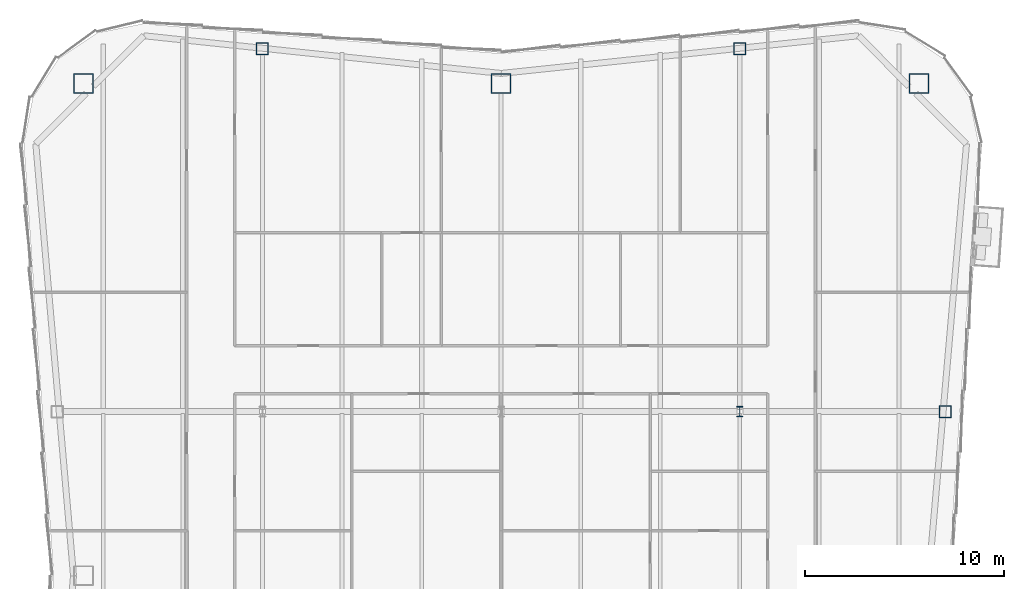
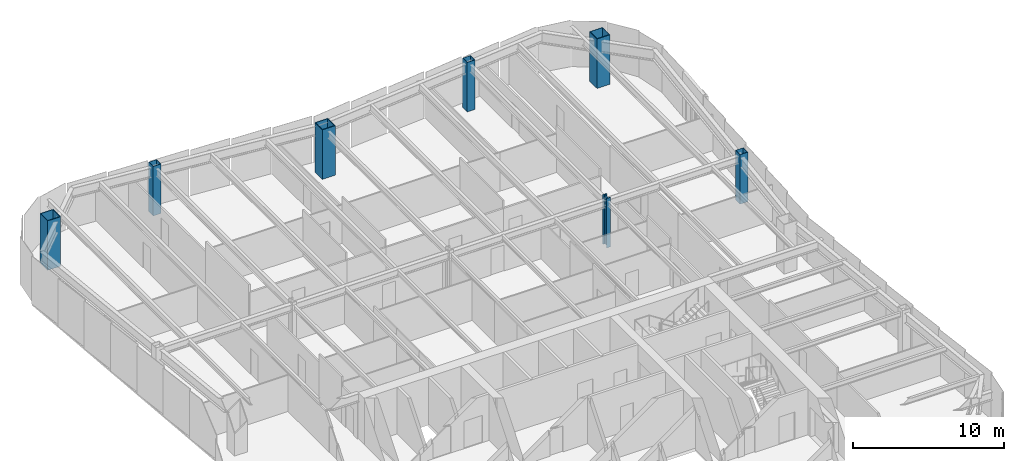
# One storey, part 2 of 12: 7 columns.
"""IFC4 building model written with IfcOpenShell, lengths in metres."""

from ifc_helpers import new_model, si_unit, direction, frame, origin, origin_2d, place, context, subcontext, project, spatial, hollow_rectangle, i_section, extrude, material, material_profile, profile_set, type_object, element, save


model = new_model("IFC4")

# Units and contexts
model_context = context("Model", 3, precision=1e-05, world=origin(), true_north=direction((0.0, 1.0)))
body_context = subcontext(model_context, "Body", "Model", "MODEL_VIEW")
ifc_project = project(units=[si_unit("LENGTHUNIT", "METRE"), si_unit("AREAUNIT", "SQUARE_METRE"), si_unit("VOLUMEUNIT", "CUBIC_METRE"), si_unit("PLANEANGLEUNIT", "RADIAN"), si_unit("MASSUNIT", "GRAM", prefix="KILO")], contexts=[model_context])

# Site, building, storey
site_placement = place(None, origin())
site = spatial("IfcSite", under=ifc_project, at=site_placement, CompositionType="ELEMENT")
building_placement = place(site_placement, origin())
building = spatial("IfcBuilding", under=site, at=building_placement, Name="Verdant Reach Tower", CompositionType="ELEMENT")
storey_placement = place(building_placement, frame((0.0, 0.0, 278.0)))
storey = spatial("IfcBuildingStorey", under=building, at=storey_placement, Name="L64", CompositionType="ELEMENT", Elevation=278.0)

# Columns
ifc_material = material(Name="Steel S460", Category="steel")
ifc_material_profile_1 = material_profile(ifc_material, i_section(OverallWidth=0.305908203125, OverallDepth=0.52392578125, WebThickness=0.012451171875, FlangeThickness=0.0400390625, FilletRadius=0.027099609375, at=origin_2d()), Name="HEM 500")
ifc_profile_set_1 = profile_set([ifc_material_profile_1], Name="Steel S460")
column_type_1 = type_object("IfcColumnType", Name="ST-COL-HEM500", PredefinedType="COLUMN", material=ifc_profile_set_1)
column_placement = place(storey_placement, frame((12.0, 49.5, 0.0), z_axis=(0.0, 0.0, 1.0), x_axis=(1.0, 0.0, 0.0)))
element("IfcColumn", 1, at=column_placement, inside=storey, type_object=column_type_1, Name="Interior column 3, L64", PredefinedType="COLUMN", context=body_context, shape_type="SweptSolid", body=[
    extrude(i_section(OverallWidth=0.305908203125, OverallDepth=0.52392578125, WebThickness=0.012451171875, FlangeThickness=0.0400390625, FilletRadius=0.027099609375, at=origin_2d()), origin(), (0.0, 0.0, 1.0), 4.0),
])
ifc_material_profile_2 = material_profile(ifc_material, hollow_rectangle(XDim=1.0, YDim=1.0, WallThickness=0.044921875, at=origin_2d()), Name="WB 1000x1000x45")
ifc_profile_set_2 = profile_set([ifc_material_profile_2], Name="Steel S460")
column_type_2 = type_object("IfcColumnType", Name="ST-COL-WB1000x1000x45", PredefinedType="COLUMN", material=ifc_profile_set_2)
for number, where, z_axis, x_axis, name in (
    (2, (-21.0, 66.0, 0.0), (0.0, 0.0, 1.0), (1.0, 0.0, 0.0), "Mega column north-west, L64"),
    (3, (0.0, 66.0, 0.0), (0.0, 0.0, 1.0), (1.0, 0.0, 0.0), "Mega column north, L64"),
    (4, (21.0, 66.0, 0.0), (0.0, 0.0, 1.0), (1.0, 0.0, 0.0), "Mega column north-east, L64"),
):
    element("IfcColumn", number, at=place(storey_placement, frame(where, z_axis=z_axis, x_axis=x_axis)), inside=storey, type_object=column_type_2, Name=name, PredefinedType="COLUMN", context=body_context, shape_type="SweptSolid", body=[
        extrude(hollow_rectangle(XDim=1.0, YDim=1.0, WallThickness=0.044921875, at=origin_2d()), origin(), (0.0, 0.0, 1.0), 4.0),
    ])
ifc_material_profile_3 = material_profile(ifc_material, hollow_rectangle(XDim=0.60009765625, YDim=0.60009765625, WallThickness=0.02490234375, at=origin_2d()), Name="WB 600x600x25")
ifc_profile_set_3 = profile_set([ifc_material_profile_3], Name="Steel S460")
column_type_3 = type_object("IfcColumnType", Name="ST-COL-WB600x600x25", PredefinedType="COLUMN", material=ifc_profile_set_3)
for number, where, z_axis, x_axis, name in (
    (5, (-12.0, 67.75, 0.0), (0.0, 0.0, 1.0), (1.0, 0.0, 0.0), "Perimeter column north 1, L64"),
    (6, (12.0, 67.75, 0.0), (0.0, 0.0, 1.0), (1.0, 0.0, 0.0), "Perimeter column north 2, L64"),
    (7, (22.319091796875, 49.5, 0.0), (0.0, 0.0, 1.0), (1.0, 0.0, 0.0), "Perimeter column east 2, L64"),
):
    element("IfcColumn", number, at=place(storey_placement, frame(where, z_axis=z_axis, x_axis=x_axis)), inside=storey, type_object=column_type_3, Name=name, PredefinedType="COLUMN", context=body_context, shape_type="SweptSolid", body=[
        extrude(hollow_rectangle(XDim=0.60009765625, YDim=0.60009765625, WallThickness=0.02490234375, at=origin_2d()), origin(), (0.0, 0.0, 1.0), 4.0),
    ])

save(model, "model.ifc")
